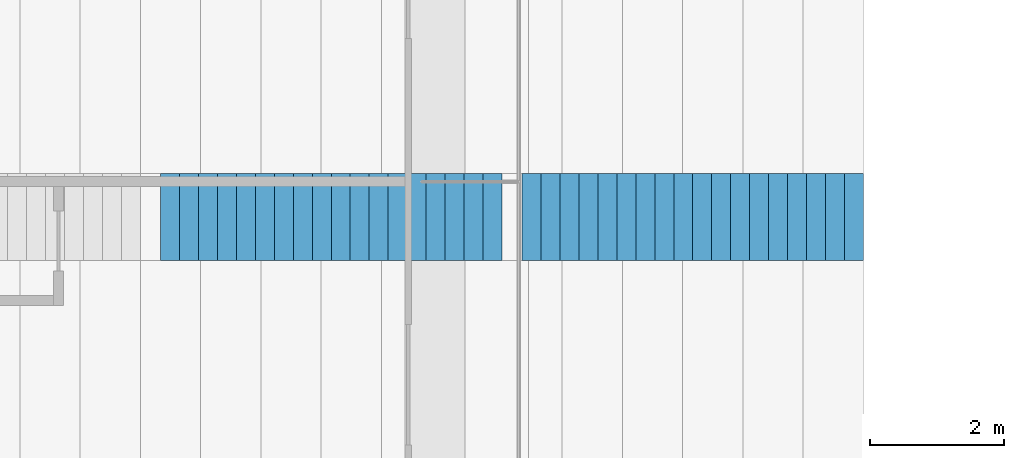
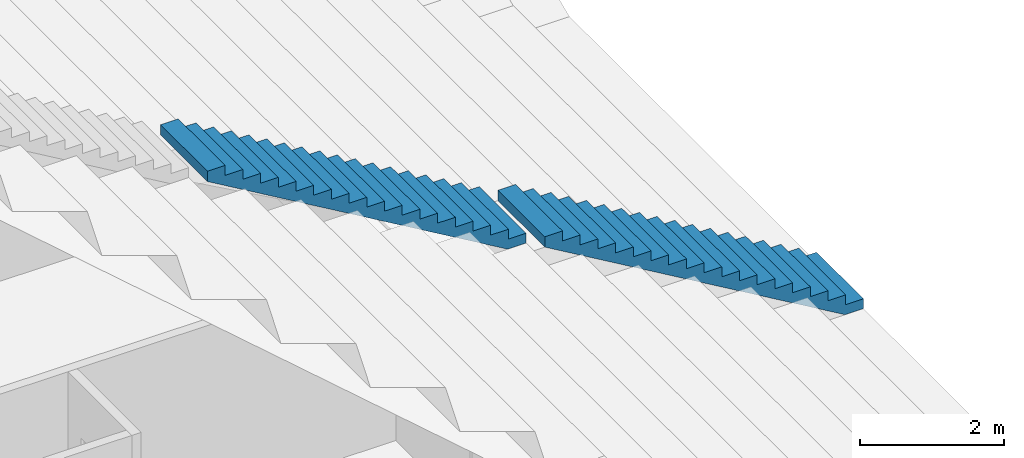
# One storey, part 194 of 249: 2 stair flights, 1 element without a shape of its own.
"""IFC4 building model written with IfcOpenShell, lengths in metres."""

from ifc_helpers import new_model, si_unit, direction, frame, origin, place, context, subcontext, project, spatial, faceted_brep, material, type_object, element, aggregate, save


model = new_model("IFC4")

# Units and contexts
model_context = context("Model", 3, precision=1e-05, world=origin(), true_north=direction((0.0, 1.0)))
body_context = subcontext(model_context, "Body", "Model", "MODEL_VIEW")
ifc_project = project(units=[si_unit("LENGTHUNIT", "METRE"), si_unit("AREAUNIT", "SQUARE_METRE"), si_unit("VOLUMEUNIT", "CUBIC_METRE"), si_unit("PLANEANGLEUNIT", "RADIAN"), si_unit("MASSUNIT", "GRAM", prefix="KILO")], contexts=[model_context])

# Site, building, storey
site_placement = place(None, origin())
site = spatial("IfcSite", under=ifc_project, at=site_placement, CompositionType="ELEMENT")
building_placement = place(site_placement, origin())
building = spatial("IfcBuilding", under=site, at=building_placement, Name="Ogive Plaza Stadium", CompositionType="ELEMENT")
storey_placement = place(building_placement, frame((0.0, 0.0, 13.5)))
storey = spatial("IfcBuildingStorey", under=building, at=storey_placement, Name="L03", CompositionType="ELEMENT", Elevation=13.5)

# Stair, stair flights
ifc_material_1 = material(Name="Concrete C40/50", Category="concrete")
stair_type = type_object("IfcStairType", Name="Aisle stair", PredefinedType="STRAIGHT_RUN_STAIR", material=ifc_material_1)
stair_placement = place(storey_placement, origin())
stair = element("IfcStair", 1, at=stair_placement, inside=storey, type_object=stair_type, Name="Aisle stair SA27U", PredefinedType="STRAIGHT_RUN_STAIR")
ifc_material_2 = material(Name="Concrete C40/50", Category="concrete")
stair_flight_type = type_object("IfcStairFlightType", Name="Aisle stair flight", PredefinedType="STRAIGHT", material=ifc_material_2)
stair_flight_1_placement = place(storey_placement, frame((-55.5, 45.0, 0.5), z_axis=(0.0, 0.0, 1.0), x_axis=(-1.0, 0.0, 0.0)))
stair_flight_1 = element("IfcStairFlight", 2, at=stair_flight_1_placement, type_object=stair_flight_type, Name="SA27U flight 1", NumberOfRisers=18, NumberOfTreads=17, PredefinedType="STRAIGHT", RiserHeight=0.166666667, TreadLength=0.283333333, context=body_context, shape_type="Brep", body=[
    faceted_brep([(0.295654296875, -0.64990234375, 0.0), (5.10009765625, -0.64990234375, 2.826171875), (5.10009765625, -0.64990234375, 3.0), (4.816650390625, -0.64990234375, 3.0), (4.816650390625, -0.64990234375, 2.833251953125), (4.533447265625, -0.64990234375, 2.833251953125), (4.533447265625, -0.64990234375, 2.666748046875), (4.25, -0.64990234375, 2.666748046875), (4.25, -0.64990234375, 2.5), (3.966552734375, -0.64990234375, 2.5), (3.966552734375, -0.64990234375, 2.333251953125), (3.683349609375, -0.64990234375, 2.333251953125), (3.683349609375, -0.64990234375, 2.166748046875), (3.39990234375, -0.64990234375, 2.166748046875), (3.39990234375, -0.64990234375, 2.0), (3.11669921875, -0.64990234375, 2.0), (3.11669921875, -0.64990234375, 1.833251953125), (2.833251953125, -0.64990234375, 1.833251953125), (2.833251953125, -0.64990234375, 1.666748046875), (2.550048828125, -0.64990234375, 1.666748046875), (2.550048828125, -0.64990234375, 1.5), (2.2666015625, -0.64990234375, 1.5), (2.2666015625, -0.64990234375, 1.333251953125), (1.9833984375, -0.64990234375, 1.333251953125), (1.9833984375, -0.64990234375, 1.166748046875), (1.699951171875, -0.64990234375, 1.166748046875), (1.699951171875, -0.64990234375, 1.0), (1.416748046875, -0.64990234375, 1.0), (1.416748046875, -0.64990234375, 0.833251953125), (1.13330078125, -0.64990234375, 0.833251953125), (1.13330078125, -0.64990234375, 0.666748046875), (0.85009765625, -0.64990234375, 0.666748046875), (0.85009765625, -0.64990234375, 0.5), (0.566650390625, -0.64990234375, 0.5), (0.566650390625, -0.64990234375, 0.333251953125), (0.283447265625, -0.64990234375, 0.333251953125), (0.283447265625, -0.64990234375, 0.166748046875), (0.0, -0.64990234375, 0.166748046875), (0.0, -0.64990234375, 0.0), (0.0, 0.64990234375, 0.0), (0.0, 0.64990234375, 0.166748046875), (0.283447265625, 0.64990234375, 0.166748046875), (0.283447265625, 0.64990234375, 0.333251953125), (0.566650390625, 0.64990234375, 0.333251953125), (0.566650390625, 0.64990234375, 0.5), (0.85009765625, 0.64990234375, 0.5), (0.85009765625, 0.64990234375, 0.666748046875), (1.13330078125, 0.64990234375, 0.666748046875), (1.13330078125, 0.64990234375, 0.833251953125), (1.416748046875, 0.64990234375, 0.833251953125), (1.416748046875, 0.64990234375, 1.0), (1.699951171875, 0.64990234375, 1.0), (1.699951171875, 0.64990234375, 1.166748046875), (1.9833984375, 0.64990234375, 1.166748046875), (1.9833984375, 0.64990234375, 1.333251953125), (2.2666015625, 0.64990234375, 1.333251953125), (2.2666015625, 0.64990234375, 1.5), (2.550048828125, 0.64990234375, 1.5), (2.550048828125, 0.64990234375, 1.666748046875), (2.833251953125, 0.64990234375, 1.666748046875), (2.833251953125, 0.64990234375, 1.833251953125), (3.11669921875, 0.64990234375, 1.833251953125), (3.11669921875, 0.64990234375, 2.0), (3.39990234375, 0.64990234375, 2.0), (3.39990234375, 0.64990234375, 2.166748046875), (3.683349609375, 0.64990234375, 2.166748046875), (3.683349609375, 0.64990234375, 2.333251953125), (3.966552734375, 0.64990234375, 2.333251953125), (3.966552734375, 0.64990234375, 2.5), (4.25, 0.64990234375, 2.5), (4.25, 0.64990234375, 2.666748046875), (4.533447265625, 0.64990234375, 2.666748046875), (4.533447265625, 0.64990234375, 2.833251953125), (4.816650390625, 0.64990234375, 2.833251953125), (4.816650390625, 0.64990234375, 3.0), (5.10009765625, 0.64990234375, 3.0), (5.10009765625, 0.64990234375, 2.826171875), (0.295654296875, 0.64990234375, 0.0), (0.295654296875, -0.324951171875, 0.0), (5.10009765625, -0.324951171875, 2.826171875), (0.295654296875, 0.0, 0.0), (5.10009765625, 0.0, 2.826171875), (0.295654296875, 0.324951171875, 0.0), (5.10009765625, 0.324951171875, 2.826171875), (5.10009765625, -0.324951171875, 3.0), (5.10009765625, 0.0, 3.0), (5.10009765625, 0.324951171875, 3.0), (4.816650390625, -0.324951171875, 3.0), (4.816650390625, 0.0, 3.0), (4.816650390625, 0.324951171875, 3.0), (4.816650390625, -0.324951171875, 2.833251953125), (4.816650390625, 0.0, 2.833251953125), (4.816650390625, 0.324951171875, 2.833251953125), (4.533447265625, -0.324951171875, 2.833251953125), (4.533447265625, 0.0, 2.833251953125), (4.533447265625, 0.324951171875, 2.833251953125), (4.533447265625, -0.324951171875, 2.666748046875), (4.533447265625, 0.0, 2.666748046875), (4.533447265625, 0.324951171875, 2.666748046875), (4.25, -0.324951171875, 2.666748046875), (4.25, 0.0, 2.666748046875), (4.25, 0.324951171875, 2.666748046875), (4.25, -0.324951171875, 2.5), (4.25, 0.0, 2.5), (4.25, 0.324951171875, 2.5), (3.966552734375, -0.324951171875, 2.5), (3.966552734375, 0.0, 2.5), (3.966552734375, 0.324951171875, 2.5), (3.966552734375, -0.324951171875, 2.333251953125), (3.966552734375, 0.0, 2.333251953125), (3.966552734375, 0.324951171875, 2.333251953125), (3.683349609375, -0.324951171875, 2.333251953125), (3.683349609375, 0.0, 2.333251953125), (3.683349609375, 0.324951171875, 2.333251953125), (3.683349609375, -0.324951171875, 2.166748046875), (3.683349609375, 0.0, 2.166748046875), (3.683349609375, 0.324951171875, 2.166748046875), (3.39990234375, -0.324951171875, 2.166748046875), (3.39990234375, 0.0, 2.166748046875), (3.39990234375, 0.324951171875, 2.166748046875), (3.39990234375, -0.324951171875, 2.0), (3.39990234375, 0.0, 2.0), (3.39990234375, 0.324951171875, 2.0), (3.11669921875, -0.324951171875, 2.0), (3.11669921875, 0.0, 2.0), (3.11669921875, 0.324951171875, 2.0), (3.11669921875, -0.324951171875, 1.833251953125), (3.11669921875, 0.0, 1.833251953125), (3.11669921875, 0.324951171875, 1.833251953125), (2.833251953125, -0.324951171875, 1.833251953125), (2.833251953125, 0.0, 1.833251953125), (2.833251953125, 0.324951171875, 1.833251953125), (2.833251953125, -0.324951171875, 1.666748046875), (2.833251953125, 0.0, 1.666748046875), (2.833251953125, 0.324951171875, 1.666748046875), (2.550048828125, -0.324951171875, 1.666748046875), (2.550048828125, 0.0, 1.666748046875), (2.550048828125, 0.324951171875, 1.666748046875), (2.550048828125, -0.324951171875, 1.5), (2.550048828125, 0.0, 1.5), (2.550048828125, 0.324951171875, 1.5), (2.2666015625, -0.324951171875, 1.5), (2.2666015625, 0.0, 1.5), (2.2666015625, 0.324951171875, 1.5), (2.2666015625, -0.324951171875, 1.333251953125), (2.2666015625, 0.0, 1.333251953125), (2.2666015625, 0.324951171875, 1.333251953125), (1.9833984375, -0.324951171875, 1.333251953125), (1.9833984375, 0.0, 1.333251953125), (1.9833984375, 0.324951171875, 1.333251953125), (1.9833984375, -0.324951171875, 1.166748046875), (1.9833984375, 0.0, 1.166748046875), (1.9833984375, 0.324951171875, 1.166748046875), (1.699951171875, -0.324951171875, 1.166748046875), (1.699951171875, 0.0, 1.166748046875), (1.699951171875, 0.324951171875, 1.166748046875), (1.699951171875, -0.324951171875, 1.0), (1.699951171875, 0.0, 1.0), (1.699951171875, 0.324951171875, 1.0), (1.416748046875, -0.324951171875, 1.0), (1.416748046875, 0.0, 1.0), (1.416748046875, 0.324951171875, 1.0), (1.416748046875, -0.324951171875, 0.833251953125), (1.416748046875, 0.0, 0.833251953125), (1.416748046875, 0.324951171875, 0.833251953125), (1.13330078125, -0.324951171875, 0.833251953125), (1.13330078125, 0.0, 0.833251953125), (1.13330078125, 0.324951171875, 0.833251953125), (1.13330078125, -0.324951171875, 0.666748046875), (1.13330078125, 0.0, 0.666748046875), (1.13330078125, 0.324951171875, 0.666748046875), (0.85009765625, -0.324951171875, 0.666748046875), (0.85009765625, 0.0, 0.666748046875), (0.85009765625, 0.324951171875, 0.666748046875), (0.85009765625, -0.324951171875, 0.5), (0.85009765625, 0.0, 0.5), (0.85009765625, 0.324951171875, 0.5), (0.566650390625, -0.324951171875, 0.5), (0.566650390625, 0.0, 0.5), (0.566650390625, 0.324951171875, 0.5), (0.566650390625, -0.324951171875, 0.333251953125), (0.566650390625, 0.0, 0.333251953125), (0.566650390625, 0.324951171875, 0.333251953125), (0.283447265625, -0.324951171875, 0.333251953125), (0.283447265625, 0.0, 0.333251953125), (0.283447265625, 0.324951171875, 0.333251953125), (0.283447265625, -0.324951171875, 0.166748046875), (0.283447265625, 0.0, 0.166748046875), (0.283447265625, 0.324951171875, 0.166748046875), (0.0, -0.324951171875, 0.166748046875), (0.0, 0.0, 0.166748046875), (0.0, 0.324951171875, 0.166748046875), (0.0, -0.324951171875, 0.0), (0.0, 0.0, 0.0), (0.0, 0.324951171875, 0.0)], [[[0, 1, 2, 3, 4, 5, 6, 7, 8, 9, 10, 11, 12, 13, 14, 15, 16, 17, 18, 19, 20, 21, 22, 23, 24, 25, 26, 27, 28, 29, 30, 31, 32, 33, 34, 35, 36, 37, 38]], [[39, 40, 41, 42, 43, 44, 45, 46, 47, 48, 49, 50, 51, 52, 53, 54, 55, 56, 57, 58, 59, 60, 61, 62, 63, 64, 65, 66, 67, 68, 69, 70, 71, 72, 73, 74, 75, 76, 77]], [[0, 78, 79, 1]], [[78, 80, 81, 79]], [[80, 82, 83, 81]], [[82, 77, 76, 83]], [[1, 79, 84, 2]], [[79, 81, 85, 84]], [[81, 83, 86, 85]], [[83, 76, 75, 86]], [[2, 84, 87, 3]], [[84, 85, 88, 87]], [[85, 86, 89, 88]], [[86, 75, 74, 89]], [[3, 87, 90, 4]], [[87, 88, 91, 90]], [[88, 89, 92, 91]], [[89, 74, 73, 92]], [[4, 90, 93, 5]], [[90, 91, 94, 93]], [[91, 92, 95, 94]], [[92, 73, 72, 95]], [[5, 93, 96, 6]], [[93, 94, 97, 96]], [[94, 95, 98, 97]], [[95, 72, 71, 98]], [[6, 96, 99, 7]], [[96, 97, 100, 99]], [[97, 98, 101, 100]], [[98, 71, 70, 101]], [[7, 99, 102, 8]], [[99, 100, 103, 102]], [[100, 101, 104, 103]], [[101, 70, 69, 104]], [[8, 102, 105, 9]], [[102, 103, 106, 105]], [[103, 104, 107, 106]], [[104, 69, 68, 107]], [[9, 105, 108, 10]], [[105, 106, 109, 108]], [[106, 107, 110, 109]], [[107, 68, 67, 110]], [[10, 108, 111, 11]], [[108, 109, 112, 111]], [[109, 110, 113, 112]], [[110, 67, 66, 113]], [[11, 111, 114, 12]], [[111, 112, 115, 114]], [[112, 113, 116, 115]], [[113, 66, 65, 116]], [[12, 114, 117, 13]], [[114, 115, 118, 117]], [[115, 116, 119, 118]], [[116, 65, 64, 119]], [[13, 117, 120, 14]], [[117, 118, 121, 120]], [[118, 119, 122, 121]], [[119, 64, 63, 122]], [[14, 120, 123, 15]], [[120, 121, 124, 123]], [[121, 122, 125, 124]], [[122, 63, 62, 125]], [[15, 123, 126, 16]], [[123, 124, 127, 126]], [[124, 125, 128, 127]], [[125, 62, 61, 128]], [[16, 126, 129, 17]], [[126, 127, 130, 129]], [[127, 128, 131, 130]], [[128, 61, 60, 131]], [[17, 129, 132, 18]], [[129, 130, 133, 132]], [[130, 131, 134, 133]], [[131, 60, 59, 134]], [[18, 132, 135, 19]], [[132, 133, 136, 135]], [[133, 134, 137, 136]], [[134, 59, 58, 137]], [[19, 135, 138, 20]], [[135, 136, 139, 138]], [[136, 137, 140, 139]], [[137, 58, 57, 140]], [[20, 138, 141, 21]], [[138, 139, 142, 141]], [[139, 140, 143, 142]], [[140, 57, 56, 143]], [[21, 141, 144, 22]], [[141, 142, 145, 144]], [[142, 143, 146, 145]], [[143, 56, 55, 146]], [[22, 144, 147, 23]], [[144, 145, 148, 147]], [[145, 146, 149, 148]], [[146, 55, 54, 149]], [[23, 147, 150, 24]], [[147, 148, 151, 150]], [[148, 149, 152, 151]], [[149, 54, 53, 152]], [[24, 150, 153, 25]], [[150, 151, 154, 153]], [[151, 152, 155, 154]], [[152, 53, 52, 155]], [[25, 153, 156, 26]], [[153, 154, 157, 156]], [[154, 155, 158, 157]], [[155, 52, 51, 158]], [[26, 156, 159, 27]], [[156, 157, 160, 159]], [[157, 158, 161, 160]], [[158, 51, 50, 161]], [[27, 159, 162, 28]], [[159, 160, 163, 162]], [[160, 161, 164, 163]], [[161, 50, 49, 164]], [[28, 162, 165, 29]], [[162, 163, 166, 165]], [[163, 164, 167, 166]], [[164, 49, 48, 167]], [[29, 165, 168, 30]], [[165, 166, 169, 168]], [[166, 167, 170, 169]], [[167, 48, 47, 170]], [[30, 168, 171, 31]], [[168, 169, 172, 171]], [[169, 170, 173, 172]], [[170, 47, 46, 173]], [[31, 171, 174, 32]], [[171, 172, 175, 174]], [[172, 173, 176, 175]], [[173, 46, 45, 176]], [[32, 174, 177, 33]], [[174, 175, 178, 177]], [[175, 176, 179, 178]], [[176, 45, 44, 179]], [[33, 177, 180, 34]], [[177, 178, 181, 180]], [[178, 179, 182, 181]], [[179, 44, 43, 182]], [[34, 180, 183, 35]], [[180, 181, 184, 183]], [[181, 182, 185, 184]], [[182, 43, 42, 185]], [[35, 183, 186, 36]], [[183, 184, 187, 186]], [[184, 185, 188, 187]], [[185, 42, 41, 188]], [[36, 186, 189, 37]], [[186, 187, 190, 189]], [[187, 188, 191, 190]], [[188, 41, 40, 191]], [[37, 189, 192, 38]], [[189, 190, 193, 192]], [[190, 191, 194, 193]], [[191, 40, 39, 194]], [[38, 192, 78, 0]], [[192, 193, 80, 78]], [[193, 194, 82, 80]], [[194, 39, 77, 82]]]),
])
stair_flight_2_placement = place(storey_placement, frame((-60.89990234375, 45.0, 3.5), z_axis=(0.0, 0.0, 1.0), x_axis=(-1.0, 0.0, 0.0)))
stair_flight_2 = element("IfcStairFlight", 3, at=stair_flight_2_placement, type_object=stair_flight_type, Name="SA27U flight 2", NumberOfRisers=18, NumberOfTreads=17, PredefinedType="STRAIGHT", RiserHeight=0.166666667, TreadLength=0.283333333, context=body_context, shape_type="Brep", body=[
    faceted_brep([(0.295654296875, -0.64990234375, 0.0), (5.10009765625, -0.64990234375, 2.826171875), (5.10009765625, -0.64990234375, 3.0), (4.816650390625, -0.64990234375, 3.0), (4.816650390625, -0.64990234375, 2.833251953125), (4.533447265625, -0.64990234375, 2.833251953125), (4.533447265625, -0.64990234375, 2.666748046875), (4.25, -0.64990234375, 2.666748046875), (4.25, -0.64990234375, 2.5), (3.966552734375, -0.64990234375, 2.5), (3.966552734375, -0.64990234375, 2.333251953125), (3.683349609375, -0.64990234375, 2.333251953125), (3.683349609375, -0.64990234375, 2.166748046875), (3.39990234375, -0.64990234375, 2.166748046875), (3.39990234375, -0.64990234375, 2.0), (3.11669921875, -0.64990234375, 2.0), (3.11669921875, -0.64990234375, 1.833251953125), (2.833251953125, -0.64990234375, 1.833251953125), (2.833251953125, -0.64990234375, 1.666748046875), (2.550048828125, -0.64990234375, 1.666748046875), (2.550048828125, -0.64990234375, 1.5), (2.2666015625, -0.64990234375, 1.5), (2.2666015625, -0.64990234375, 1.333251953125), (1.9833984375, -0.64990234375, 1.333251953125), (1.9833984375, -0.64990234375, 1.166748046875), (1.699951171875, -0.64990234375, 1.166748046875), (1.699951171875, -0.64990234375, 1.0), (1.416748046875, -0.64990234375, 1.0), (1.416748046875, -0.64990234375, 0.833251953125), (1.13330078125, -0.64990234375, 0.833251953125), (1.13330078125, -0.64990234375, 0.666748046875), (0.85009765625, -0.64990234375, 0.666748046875), (0.85009765625, -0.64990234375, 0.5), (0.566650390625, -0.64990234375, 0.5), (0.566650390625, -0.64990234375, 0.333251953125), (0.283447265625, -0.64990234375, 0.333251953125), (0.283447265625, -0.64990234375, 0.166748046875), (0.0, -0.64990234375, 0.166748046875), (0.0, -0.64990234375, 0.0), (0.0, 0.64990234375, 0.0), (0.0, 0.64990234375, 0.166748046875), (0.283447265625, 0.64990234375, 0.166748046875), (0.283447265625, 0.64990234375, 0.333251953125), (0.566650390625, 0.64990234375, 0.333251953125), (0.566650390625, 0.64990234375, 0.5), (0.85009765625, 0.64990234375, 0.5), (0.85009765625, 0.64990234375, 0.666748046875), (1.13330078125, 0.64990234375, 0.666748046875), (1.13330078125, 0.64990234375, 0.833251953125), (1.416748046875, 0.64990234375, 0.833251953125), (1.416748046875, 0.64990234375, 1.0), (1.699951171875, 0.64990234375, 1.0), (1.699951171875, 0.64990234375, 1.166748046875), (1.9833984375, 0.64990234375, 1.166748046875), (1.9833984375, 0.64990234375, 1.333251953125), (2.2666015625, 0.64990234375, 1.333251953125), (2.2666015625, 0.64990234375, 1.5), (2.550048828125, 0.64990234375, 1.5), (2.550048828125, 0.64990234375, 1.666748046875), (2.833251953125, 0.64990234375, 1.666748046875), (2.833251953125, 0.64990234375, 1.833251953125), (3.11669921875, 0.64990234375, 1.833251953125), (3.11669921875, 0.64990234375, 2.0), (3.39990234375, 0.64990234375, 2.0), (3.39990234375, 0.64990234375, 2.166748046875), (3.683349609375, 0.64990234375, 2.166748046875), (3.683349609375, 0.64990234375, 2.333251953125), (3.966552734375, 0.64990234375, 2.333251953125), (3.966552734375, 0.64990234375, 2.5), (4.25, 0.64990234375, 2.5), (4.25, 0.64990234375, 2.666748046875), (4.533447265625, 0.64990234375, 2.666748046875), (4.533447265625, 0.64990234375, 2.833251953125), (4.816650390625, 0.64990234375, 2.833251953125), (4.816650390625, 0.64990234375, 3.0), (5.10009765625, 0.64990234375, 3.0), (5.10009765625, 0.64990234375, 2.826171875), (0.295654296875, 0.64990234375, 0.0), (0.295654296875, -0.324951171875, 0.0), (5.10009765625, -0.324951171875, 2.826171875), (0.295654296875, 0.0, 0.0), (5.10009765625, 0.0, 2.826171875), (0.295654296875, 0.324951171875, 0.0), (5.10009765625, 0.324951171875, 2.826171875), (5.10009765625, -0.324951171875, 3.0), (5.10009765625, 0.0, 3.0), (5.10009765625, 0.324951171875, 3.0), (4.816650390625, -0.324951171875, 3.0), (4.816650390625, 0.0, 3.0), (4.816650390625, 0.324951171875, 3.0), (4.816650390625, -0.324951171875, 2.833251953125), (4.816650390625, 0.0, 2.833251953125), (4.816650390625, 0.324951171875, 2.833251953125), (4.533447265625, -0.324951171875, 2.833251953125), (4.533447265625, 0.0, 2.833251953125), (4.533447265625, 0.324951171875, 2.833251953125), (4.533447265625, -0.324951171875, 2.666748046875), (4.533447265625, 0.0, 2.666748046875), (4.533447265625, 0.324951171875, 2.666748046875), (4.25, -0.324951171875, 2.666748046875), (4.25, 0.0, 2.666748046875), (4.25, 0.324951171875, 2.666748046875), (4.25, -0.324951171875, 2.5), (4.25, 0.0, 2.5), (4.25, 0.324951171875, 2.5), (3.966552734375, -0.324951171875, 2.5), (3.966552734375, 0.0, 2.5), (3.966552734375, 0.324951171875, 2.5), (3.966552734375, -0.324951171875, 2.333251953125), (3.966552734375, 0.0, 2.333251953125), (3.966552734375, 0.324951171875, 2.333251953125), (3.683349609375, -0.324951171875, 2.333251953125), (3.683349609375, 0.0, 2.333251953125), (3.683349609375, 0.324951171875, 2.333251953125), (3.683349609375, -0.324951171875, 2.166748046875), (3.683349609375, 0.0, 2.166748046875), (3.683349609375, 0.324951171875, 2.166748046875), (3.39990234375, -0.324951171875, 2.166748046875), (3.39990234375, 0.0, 2.166748046875), (3.39990234375, 0.324951171875, 2.166748046875), (3.39990234375, -0.324951171875, 2.0), (3.39990234375, 0.0, 2.0), (3.39990234375, 0.324951171875, 2.0), (3.11669921875, -0.324951171875, 2.0), (3.11669921875, 0.0, 2.0), (3.11669921875, 0.324951171875, 2.0), (3.11669921875, -0.324951171875, 1.833251953125), (3.11669921875, 0.0, 1.833251953125), (3.11669921875, 0.324951171875, 1.833251953125), (2.833251953125, -0.324951171875, 1.833251953125), (2.833251953125, 0.0, 1.833251953125), (2.833251953125, 0.324951171875, 1.833251953125), (2.833251953125, -0.324951171875, 1.666748046875), (2.833251953125, 0.0, 1.666748046875), (2.833251953125, 0.324951171875, 1.666748046875), (2.550048828125, -0.324951171875, 1.666748046875), (2.550048828125, 0.0, 1.666748046875), (2.550048828125, 0.324951171875, 1.666748046875), (2.550048828125, -0.324951171875, 1.5), (2.550048828125, 0.0, 1.5), (2.550048828125, 0.324951171875, 1.5), (2.2666015625, -0.324951171875, 1.5), (2.2666015625, 0.0, 1.5), (2.2666015625, 0.324951171875, 1.5), (2.2666015625, -0.324951171875, 1.333251953125), (2.2666015625, 0.0, 1.333251953125), (2.2666015625, 0.324951171875, 1.333251953125), (1.9833984375, -0.324951171875, 1.333251953125), (1.9833984375, 0.0, 1.333251953125), (1.9833984375, 0.324951171875, 1.333251953125), (1.9833984375, -0.324951171875, 1.166748046875), (1.9833984375, 0.0, 1.166748046875), (1.9833984375, 0.324951171875, 1.166748046875), (1.699951171875, -0.324951171875, 1.166748046875), (1.699951171875, 0.0, 1.166748046875), (1.699951171875, 0.324951171875, 1.166748046875), (1.699951171875, -0.324951171875, 1.0), (1.699951171875, 0.0, 1.0), (1.699951171875, 0.324951171875, 1.0), (1.416748046875, -0.324951171875, 1.0), (1.416748046875, 0.0, 1.0), (1.416748046875, 0.324951171875, 1.0), (1.416748046875, -0.324951171875, 0.833251953125), (1.416748046875, 0.0, 0.833251953125), (1.416748046875, 0.324951171875, 0.833251953125), (1.13330078125, -0.324951171875, 0.833251953125), (1.13330078125, 0.0, 0.833251953125), (1.13330078125, 0.324951171875, 0.833251953125), (1.13330078125, -0.324951171875, 0.666748046875), (1.13330078125, 0.0, 0.666748046875), (1.13330078125, 0.324951171875, 0.666748046875), (0.85009765625, -0.324951171875, 0.666748046875), (0.85009765625, 0.0, 0.666748046875), (0.85009765625, 0.324951171875, 0.666748046875), (0.85009765625, -0.324951171875, 0.5), (0.85009765625, 0.0, 0.5), (0.85009765625, 0.324951171875, 0.5), (0.566650390625, -0.324951171875, 0.5), (0.566650390625, 0.0, 0.5), (0.566650390625, 0.324951171875, 0.5), (0.566650390625, -0.324951171875, 0.333251953125), (0.566650390625, 0.0, 0.333251953125), (0.566650390625, 0.324951171875, 0.333251953125), (0.283447265625, -0.324951171875, 0.333251953125), (0.283447265625, 0.0, 0.333251953125), (0.283447265625, 0.324951171875, 0.333251953125), (0.283447265625, -0.324951171875, 0.166748046875), (0.283447265625, 0.0, 0.166748046875), (0.283447265625, 0.324951171875, 0.166748046875), (0.0, -0.324951171875, 0.166748046875), (0.0, 0.0, 0.166748046875), (0.0, 0.324951171875, 0.166748046875), (0.0, -0.324951171875, 0.0), (0.0, 0.0, 0.0), (0.0, 0.324951171875, 0.0)], [[[0, 1, 2, 3, 4, 5, 6, 7, 8, 9, 10, 11, 12, 13, 14, 15, 16, 17, 18, 19, 20, 21, 22, 23, 24, 25, 26, 27, 28, 29, 30, 31, 32, 33, 34, 35, 36, 37, 38]], [[39, 40, 41, 42, 43, 44, 45, 46, 47, 48, 49, 50, 51, 52, 53, 54, 55, 56, 57, 58, 59, 60, 61, 62, 63, 64, 65, 66, 67, 68, 69, 70, 71, 72, 73, 74, 75, 76, 77]], [[0, 78, 79, 1]], [[78, 80, 81, 79]], [[80, 82, 83, 81]], [[82, 77, 76, 83]], [[1, 79, 84, 2]], [[79, 81, 85, 84]], [[81, 83, 86, 85]], [[83, 76, 75, 86]], [[2, 84, 87, 3]], [[84, 85, 88, 87]], [[85, 86, 89, 88]], [[86, 75, 74, 89]], [[3, 87, 90, 4]], [[87, 88, 91, 90]], [[88, 89, 92, 91]], [[89, 74, 73, 92]], [[4, 90, 93, 5]], [[90, 91, 94, 93]], [[91, 92, 95, 94]], [[92, 73, 72, 95]], [[5, 93, 96, 6]], [[93, 94, 97, 96]], [[94, 95, 98, 97]], [[95, 72, 71, 98]], [[6, 96, 99, 7]], [[96, 97, 100, 99]], [[97, 98, 101, 100]], [[98, 71, 70, 101]], [[7, 99, 102, 8]], [[99, 100, 103, 102]], [[100, 101, 104, 103]], [[101, 70, 69, 104]], [[8, 102, 105, 9]], [[102, 103, 106, 105]], [[103, 104, 107, 106]], [[104, 69, 68, 107]], [[9, 105, 108, 10]], [[105, 106, 109, 108]], [[106, 107, 110, 109]], [[107, 68, 67, 110]], [[10, 108, 111, 11]], [[108, 109, 112, 111]], [[109, 110, 113, 112]], [[110, 67, 66, 113]], [[11, 111, 114, 12]], [[111, 112, 115, 114]], [[112, 113, 116, 115]], [[113, 66, 65, 116]], [[12, 114, 117, 13]], [[114, 115, 118, 117]], [[115, 116, 119, 118]], [[116, 65, 64, 119]], [[13, 117, 120, 14]], [[117, 118, 121, 120]], [[118, 119, 122, 121]], [[119, 64, 63, 122]], [[14, 120, 123, 15]], [[120, 121, 124, 123]], [[121, 122, 125, 124]], [[122, 63, 62, 125]], [[15, 123, 126, 16]], [[123, 124, 127, 126]], [[124, 125, 128, 127]], [[125, 62, 61, 128]], [[16, 126, 129, 17]], [[126, 127, 130, 129]], [[127, 128, 131, 130]], [[128, 61, 60, 131]], [[17, 129, 132, 18]], [[129, 130, 133, 132]], [[130, 131, 134, 133]], [[131, 60, 59, 134]], [[18, 132, 135, 19]], [[132, 133, 136, 135]], [[133, 134, 137, 136]], [[134, 59, 58, 137]], [[19, 135, 138, 20]], [[135, 136, 139, 138]], [[136, 137, 140, 139]], [[137, 58, 57, 140]], [[20, 138, 141, 21]], [[138, 139, 142, 141]], [[139, 140, 143, 142]], [[140, 57, 56, 143]], [[21, 141, 144, 22]], [[141, 142, 145, 144]], [[142, 143, 146, 145]], [[143, 56, 55, 146]], [[22, 144, 147, 23]], [[144, 145, 148, 147]], [[145, 146, 149, 148]], [[146, 55, 54, 149]], [[23, 147, 150, 24]], [[147, 148, 151, 150]], [[148, 149, 152, 151]], [[149, 54, 53, 152]], [[24, 150, 153, 25]], [[150, 151, 154, 153]], [[151, 152, 155, 154]], [[152, 53, 52, 155]], [[25, 153, 156, 26]], [[153, 154, 157, 156]], [[154, 155, 158, 157]], [[155, 52, 51, 158]], [[26, 156, 159, 27]], [[156, 157, 160, 159]], [[157, 158, 161, 160]], [[158, 51, 50, 161]], [[27, 159, 162, 28]], [[159, 160, 163, 162]], [[160, 161, 164, 163]], [[161, 50, 49, 164]], [[28, 162, 165, 29]], [[162, 163, 166, 165]], [[163, 164, 167, 166]], [[164, 49, 48, 167]], [[29, 165, 168, 30]], [[165, 166, 169, 168]], [[166, 167, 170, 169]], [[167, 48, 47, 170]], [[30, 168, 171, 31]], [[168, 169, 172, 171]], [[169, 170, 173, 172]], [[170, 47, 46, 173]], [[31, 171, 174, 32]], [[171, 172, 175, 174]], [[172, 173, 176, 175]], [[173, 46, 45, 176]], [[32, 174, 177, 33]], [[174, 175, 178, 177]], [[175, 176, 179, 178]], [[176, 45, 44, 179]], [[33, 177, 180, 34]], [[177, 178, 181, 180]], [[178, 179, 182, 181]], [[179, 44, 43, 182]], [[34, 180, 183, 35]], [[180, 181, 184, 183]], [[181, 182, 185, 184]], [[182, 43, 42, 185]], [[35, 183, 186, 36]], [[183, 184, 187, 186]], [[184, 185, 188, 187]], [[185, 42, 41, 188]], [[36, 186, 189, 37]], [[186, 187, 190, 189]], [[187, 188, 191, 190]], [[188, 41, 40, 191]], [[37, 189, 192, 38]], [[189, 190, 193, 192]], [[190, 191, 194, 193]], [[191, 40, 39, 194]], [[38, 192, 78, 0]], [[192, 193, 80, 78]], [[193, 194, 82, 80]], [[194, 39, 77, 82]]]),
])
aggregate(stair, [stair_flight_1, stair_flight_2])

save(model, "model.ifc")
